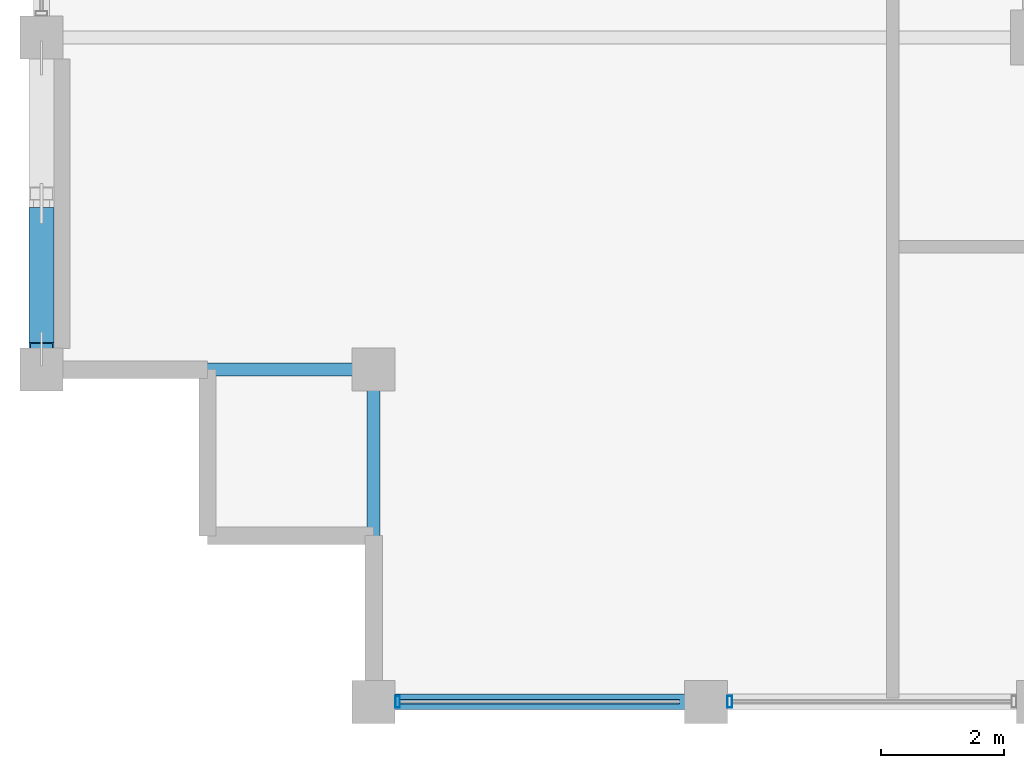
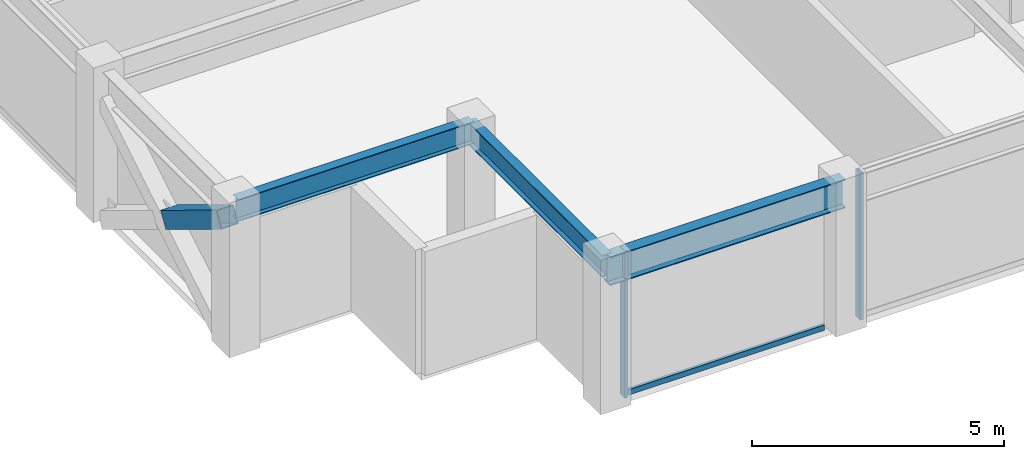
# One storey, part 2 of 31: 4 members, 3 beams, 1 element without a shape of its own.
"""IFC4 building model written with IfcOpenShell, lengths in metres."""

from ifc_helpers import new_model, si_unit, direction, frame, origin, origin_2d, place, context, subcontext, project, spatial, hollow_rectangle, i_section, extrude, material, layer, layer_set, material_profile, profile_set, type_object, element, aggregate, save


model = new_model("IFC4")

# Units and contexts
model_context = context("Model", 3, precision=1e-05, world=origin(), true_north=direction((0.0, 1.0)))
body_context = subcontext(model_context, "Body", "Model", "MODEL_VIEW")
ifc_project = project(units=[si_unit("LENGTHUNIT", "METRE"), si_unit("AREAUNIT", "SQUARE_METRE"), si_unit("VOLUMEUNIT", "CUBIC_METRE"), si_unit("PLANEANGLEUNIT", "RADIAN"), si_unit("MASSUNIT", "GRAM", prefix="KILO")], contexts=[model_context])

# Site, building, storey
site_placement = place(None, origin())
site = spatial("IfcSite", under=ifc_project, at=site_placement, CompositionType="ELEMENT")
building_placement = place(site_placement, origin())
building = spatial("IfcBuilding", under=site, at=building_placement, Name="Surkhivell Harbour Commons", CompositionType="ELEMENT")
storey_placement = place(building_placement, frame((0.0, 0.0, 285.0)))
storey = spatial("IfcBuildingStorey", under=building, at=storey_placement, Name="L74", CompositionType="ELEMENT", Elevation=285.0)

# Beams
ifc_material_1 = material(Name="Steel S355", Category="steel")
ifc_material_profile_1 = material_profile(ifc_material_1, i_section(OverallWidth=0.2099609375, OverallDepth=0.537109375, WebThickness=0.0107421875, FlangeThickness=0.017333984375, at=origin_2d()), Name="UB533x210x101")
ifc_profile_set_1 = profile_set([ifc_material_profile_1], Name="Steel S355")
beam_type_1 = type_object("IfcBeamType", Name="BM-GRD-533B", PredefinedType="BEAM", material=ifc_profile_set_1)
beam_1_placement = place(storey_placement, frame((-27.0, -16.199951171875, 3.301513671875), z_axis=(1.0, 0.0, 0.0), x_axis=(0.0, 1.0, 0.0)))
element("IfcBeam", 1, at=beam_1_placement, inside=storey, type_object=beam_type_1, Name="L74 Floor Girder (-27.0,-16.2)", PredefinedType="BEAM", context=body_context, shape_type="SweptSolid", body=[
    extrude(i_section(OverallWidth=0.2099609375, OverallDepth=0.537109375, WebThickness=0.0107421875, FlangeThickness=0.017333984375, at=origin_2d()), origin(), (0.0, 0.0, 1.0), 5.39990234375),
])
beam_2_placement = place(storey_placement, frame((-21.60009765625, -21.60009765625, 3.301513671875), z_axis=(0.0, 1.0, 0.0), x_axis=(-1.0, 0.0, 0.0)))
element("IfcBeam", 2, at=beam_2_placement, inside=storey, type_object=beam_type_1, Name="L74 Floor Girder (-21.6,-21.6)", PredefinedType="BEAM", context=body_context, shape_type="SweptSolid", body=[
    extrude(i_section(OverallWidth=0.2099609375, OverallDepth=0.537109375, WebThickness=0.0107421875, FlangeThickness=0.017333984375, at=origin_2d()), origin(), (0.0, 0.0, 1.0), 5.400146484375),
])
ifc_material_profile_2 = material_profile(ifc_material_1, i_section(OverallWidth=0.256103515625, OverallDepth=0.693115234375, WebThickness=0.014404296875, FlangeThickness=0.023681640625, at=origin_2d()), Name="UB686x254x170")
ifc_profile_set_2 = profile_set([ifc_material_profile_2], Name="Steel S355")
beam_type_2 = type_object("IfcBeamType", Name="BM-SPN-686", PredefinedType="SPANDREL", material=ifc_profile_set_2)
beam_3_placement = place(storey_placement, frame((-21.60009765625, -21.60009765625, 3.223388671875), z_axis=(1.0, 0.0, 0.0), x_axis=(0.0, 1.0, 0.0)))
element("IfcBeam", 3, at=beam_3_placement, inside=storey, type_object=beam_type_2, Name="L74 Tube Spandrel (-21.6,-21.6)", PredefinedType="SPANDREL", context=body_context, shape_type="SweptSolid", body=[
    extrude(i_section(OverallWidth=0.256103515625, OverallDepth=0.693115234375, WebThickness=0.014404296875, FlangeThickness=0.023681640625, at=origin_2d()), origin(), (0.0, 0.0, 1.0), 5.400146484375),
])

# Curtain wall, members
ifc_material_2 = material(Name="Anodised pale-metal aluminium and insulated glazing", Category="aluminium")
ifc_layer = layer(ifc_material_2, 0.175048828125)
ifc_layer_set = layer_set([ifc_layer], Name="Anodised pale-metal aluminium and insulated glazing")
curtain_wall_type = type_object("IfcCurtainWallType", Name="CW-SYS-Z4", PredefinedType="NOTDEFINED", material=ifc_layer_set)
curtain_wall_placement = place(storey_placement, origin())
curtain_wall = element("IfcCurtainWall", 4, at=curtain_wall_placement, inside=storey, type_object=curtain_wall_type, Name="L74 Curtain Wall CW-L74-E00S1", PredefinedType="NOTDEFINED")
ifc_material_3 = material(Name="Anodised pale-metal aluminium alloy 6063-T6", Category="aluminium")
ifc_material_profile_3 = material_profile(ifc_material_3, hollow_rectangle(XDim=0.074951171875, YDim=0.18994140625, WallThickness=0.00390625, at=origin_2d()), Name="ALU-MULL-75x190")
ifc_profile_set_3 = profile_set([ifc_material_profile_3], Name="Anodised pale-metal aluminium alloy 6063-T6")
member_type_1 = type_object("IfcMemberType", Name="CWM-190", PredefinedType="MULLION", material=ifc_profile_set_3)
member_1_placement = place(storey_placement, frame((-21.21044921875, -21.60009765625, 0.0), z_axis=(0.0, 0.0, 1.0), x_axis=(1.0, 0.0, 0.0)))
member_1 = element("IfcMember", 5, at=member_1_placement, type_object=member_type_1, Name="CW-Z4 mullion 1", PredefinedType="MULLION", context=body_context, shape_type="SweptSolid", body=[
    extrude(hollow_rectangle(XDim=0.074951171875, YDim=0.18994140625, WallThickness=0.00390625, at=origin_2d()), origin(), (0.0, 0.0, 1.0), 3.570068359375),
])
member_2_placement = place(storey_placement, frame((-15.810546875, -21.60009765625, 0.0), z_axis=(0.0, 0.0, 1.0), x_axis=(1.0, 0.0, 0.0)))
member_2 = element("IfcMember", 6, at=member_2_placement, type_object=member_type_1, Name="CW-Z4 mullion 2", PredefinedType="MULLION", context=body_context, shape_type="SweptSolid", body=[
    extrude(hollow_rectangle(XDim=0.074951171875, YDim=0.18994140625, WallThickness=0.00390625, at=origin_2d()), origin(), (0.0, 0.0, 1.0), 3.570068359375),
])
ifc_material_4 = material(Name="Champagne anodised aluminium alloy 6063-T6", Category="aluminium")
ifc_material_profile_4 = material_profile(ifc_material_4, hollow_rectangle(XDim=0.070068359375, YDim=0.1298828125, WallThickness=0.00341796875, at=origin_2d()), Name="ALU-TRAN-70x130")
ifc_profile_set_4 = profile_set([ifc_material_profile_4], Name="Champagne anodised aluminium alloy 6063-T6")
member_type_2 = type_object("IfcMemberType", Name="CWT-130", PredefinedType="USERDEFINED", material=ifc_profile_set_4)
member_3_placement = place(storey_placement, frame((-21.173095703125, -21.60009765625, 0.06494140625), z_axis=(1.0, 0.0, 0.0), x_axis=(0.0, 1.0, 0.0)))
member_3 = element("IfcMember", 7, at=member_3_placement, type_object=member_type_2, Name="CW-Z4 transom 1.1", ObjectType="TRANSOM", PredefinedType="USERDEFINED", context=body_context, shape_type="SweptSolid", body=[
    extrude(hollow_rectangle(XDim=0.070068359375, YDim=0.1298828125, WallThickness=0.00341796875, at=origin_2d()), origin(), (0.0, 0.0, 1.0), 4.546142578125),
])
aggregate(curtain_wall, [member_1, member_3, member_2])

# Member
ifc_material_5 = material(Name="Steel S460", Category="steel")
ifc_material_profile_5 = material_profile(ifc_material_5, hollow_rectangle(XDim=0.39990234375, YDim=0.39990234375, WallThickness=0.02001953125, at=origin_2d()), Name="SHS400x400x20")
ifc_profile_set_5 = profile_set([ifc_material_profile_5], Name="Steel S460")
member_type_3 = type_object("IfcMemberType", Name="MEM-BRC-SHS400", PredefinedType="BRACE", material=ifc_profile_set_5)
member_4_placement = place(storey_placement, frame((-27.0, -13.6640625, 1.544189453125), z_axis=(0.0, -0.854677846108, 0.519158722716), x_axis=(1.0, 0.0, 0.0)))
element("IfcMember", 8, at=member_4_placement, inside=storey, type_object=member_type_3, Name="L74 Perimeter Mega-Brace MB- 12", PredefinedType="BRACE", context=body_context, shape_type="SweptSolid", body=[
    extrude(hollow_rectangle(XDim=0.39990234375, YDim=0.39990234375, WallThickness=0.02001953125, at=origin_2d()), origin(), (0.0, 0.0, 1.0), 2.5751953125),
])

save(model, "model.ifc")
